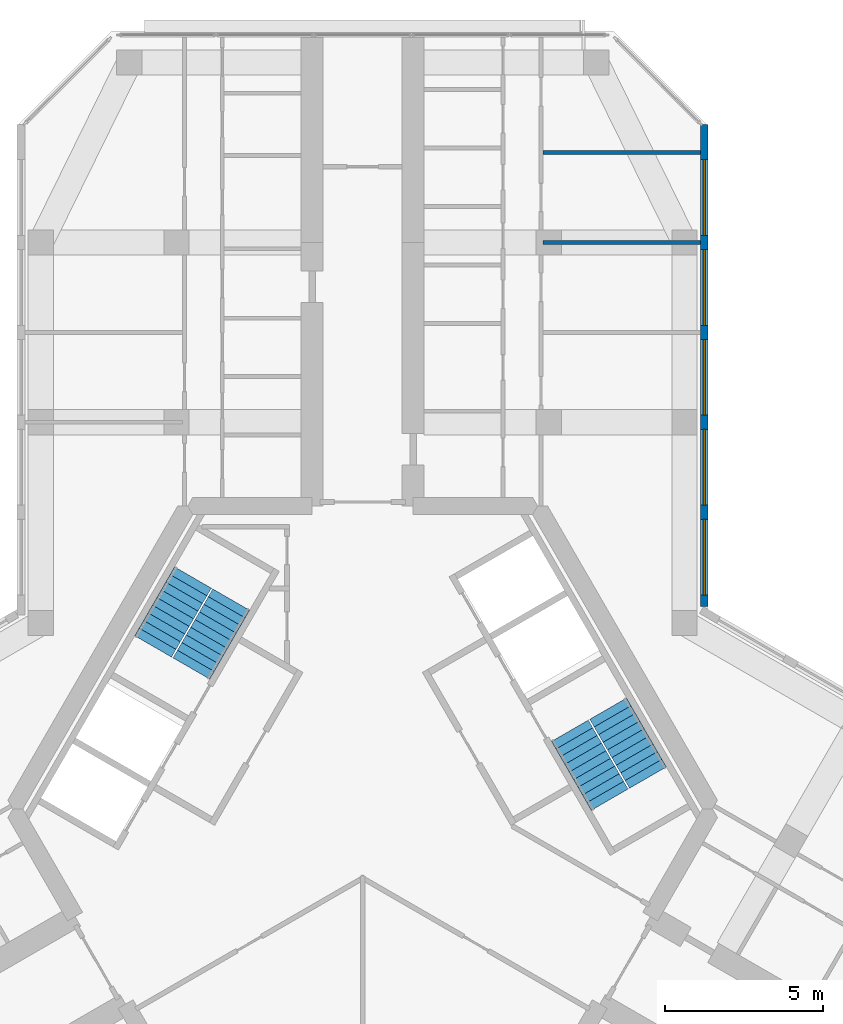
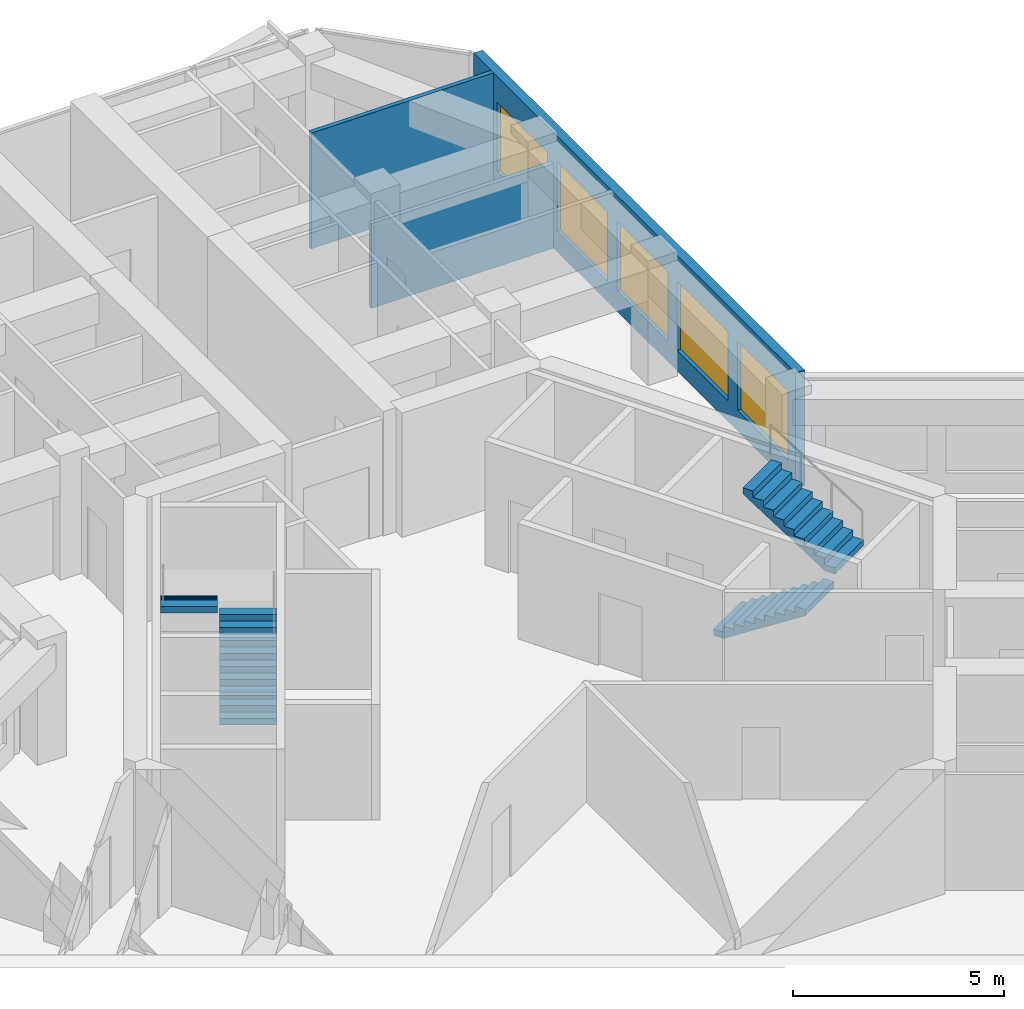
# One storey, part 13 of 14: 5 windows, 4 stair flights, 3 walls, 5 openings, 2 elements without a shape of their own.
"""IFC4 building model written with IfcOpenShell, lengths in metres."""

from ifc_helpers import new_model, si_unit, direction, frame, frame_2d, origin, place, context, subcontext, project, spatial, polyline, rectangle, outline, extrude, material, layer, layer_set, type_object, element, fill, aggregate, save


model = new_model("IFC4")

# Units and contexts
model_context = context("Model", 3, precision=1e-05, world=origin(), true_north=direction((0.0, 1.0)))
body_context = subcontext(model_context, "Body", "Model", "MODEL_VIEW")
ifc_project = project(units=[si_unit("LENGTHUNIT", "METRE"), si_unit("AREAUNIT", "SQUARE_METRE"), si_unit("VOLUMEUNIT", "CUBIC_METRE"), si_unit("PLANEANGLEUNIT", "RADIAN"), si_unit("MASSUNIT", "GRAM", prefix="KILO")], contexts=[model_context])

# Site, building, storey
site_placement = place(None, origin())
site = spatial("IfcSite", under=ifc_project, at=site_placement, CompositionType="ELEMENT")
building_placement = place(site_placement, origin())
building = spatial("IfcBuilding", under=site, at=building_placement, Name="Kosmar Iwan School Tower", CompositionType="ELEMENT")
storey_placement = place(building_placement, frame((0.0, 0.0, 274.60009765625)))
storey = spatial("IfcBuildingStorey", under=building, at=storey_placement, Name="L69", CompositionType="ELEMENT", Elevation=274.60009765625)

# Walls
ifc_material_1 = material(Name="Gypsum board on steel studs", Category="steel")
ifc_layer_1 = layer(ifc_material_1, 0.1201171875)
ifc_layer_set_1 = layer_set([ifc_layer_1], Name="Dwelling partition 120")
wall_type_1 = type_object("IfcWallType", Name="Dwelling partition 120", PredefinedType="PARTITIONING", material=ifc_layer_set_1)
wall_1_placement = place(storey_placement, frame((5.7099609375, 17.949951171875, 0.0), z_axis=(0.0, 0.0, 1.0), x_axis=(1.0, 0.0, 0.0)))
element("IfcWall", 1, at=wall_1_placement, inside=storey, type_object=wall_type_1, Name="Partition L69-AR1-X2", PredefinedType="PARTITIONING", context=body_context, shape_type="SweptSolid", body=[
    extrude(rectangle(XDim=4.989990234375, YDim=0.1201171875, at=frame_2d((2.4951171875, 0.0))), origin(), (0.0, 0.0, 1.0), 2.449951171875),
])
wall_2_placement = place(storey_placement, frame((5.7099609375, 20.800048828125, 0.0), z_axis=(0.0, 0.0, 1.0), x_axis=(1.0, 0.0, 0.0)))
element("IfcWall", 2, at=wall_2_placement, inside=storey, type_object=wall_type_1, Name="Partition L69-AR1-X3", PredefinedType="PARTITIONING", context=body_context, shape_type="SweptSolid", body=[
    extrude(rectangle(XDim=4.989990234375, YDim=0.1201171875, at=frame_2d((2.4951171875, 0.0))), origin(), (0.0, 0.0, 1.0), 3.349853515625),
])

# Wall, openings, windows
ifc_material_2 = material(Name="Black aluminium rainscreen on insulated framing", Category="aluminium")
ifc_layer_2 = layer(ifc_material_2, 0.25)
ifc_layer_set_2 = layer_set([ifc_layer_2], Name="External wall rainscreen 250")
wall_type_2 = type_object("IfcWallType", Name="External wall rainscreen 250", PredefinedType="SOLIDWALL", material=ifc_layer_set_2)
wall_3_placement = place(storey_placement, frame((10.824951171875, 6.408935546875, 0.0), z_axis=(0.0, 0.0, 1.0), x_axis=(0.0, 1.0, 0.0)))
wall_3 = element("IfcWall", 3, at=wall_3_placement, inside=storey, type_object=wall_type_2, Name="External wall AR L69", PredefinedType="SOLIDWALL", context=body_context, shape_type="SweptSolid", body=[
    extrude(rectangle(XDim=15.2763671875, YDim=0.25, at=frame_2d((7.63818359375, 0.0))), origin(), (0.0, 0.0, 1.0), 3.349853515625),
])
opening_1_placement = place(wall_3_placement, frame((0.365966796875, 0.0, 0.60009765625)))
opening_1 = element("IfcOpeningElement", 4, at=opening_1_placement, cuts=wall_3, Name="Opening W6", PredefinedType="OPENING", context=body_context, shape_type="SweptSolid", body=[
    extrude(rectangle(XDim=2.39990234375, YDim=2.0, at=frame_2d((1.199951171875, 1.0))), frame((0.0, 0.136962890625, 0.0), z_axis=(0.0, -1.0, 0.0), x_axis=(1.0, 0.0, 0.0)), (0.0, 0.0, 1.0), 0.27392578125),
])
opening_2_placement = place(wall_3_placement, frame((3.216064453125, 0.0, 0.60009765625)))
opening_2 = element("IfcOpeningElement", 5, at=opening_2_placement, cuts=wall_3, Name="Opening W6", PredefinedType="OPENING", context=body_context, shape_type="SweptSolid", body=[
    extrude(rectangle(XDim=2.39990234375, YDim=2.0, at=frame_2d((1.199951171875, 1.0))), frame((0.0, 0.136962890625, 0.0), z_axis=(0.0, -1.0, 0.0), x_axis=(1.0, 0.0, 0.0)), (0.0, 0.0, 1.0), 0.27392578125),
])
opening_3_placement = place(wall_3_placement, frame((6.06591796875, 0.0, 0.60009765625)))
opening_3 = element("IfcOpeningElement", 6, at=opening_3_placement, cuts=wall_3, Name="Opening W6", PredefinedType="OPENING", context=body_context, shape_type="SweptSolid", body=[
    extrude(rectangle(XDim=2.39990234375, YDim=2.0, at=frame_2d((1.199951171875, 1.0))), frame((0.0, 0.136962890625, 0.0), z_axis=(0.0, -1.0, 0.0), x_axis=(1.0, 0.0, 0.0)), (0.0, 0.0, 1.0), 0.27392578125),
])
opening_4_placement = place(wall_3_placement, frame((8.916015625, 0.0, 0.60009765625)))
opening_4 = element("IfcOpeningElement", 7, at=opening_4_placement, cuts=wall_3, Name="Opening W6", PredefinedType="OPENING", context=body_context, shape_type="SweptSolid", body=[
    extrude(rectangle(XDim=2.39990234375, YDim=2.0, at=frame_2d((1.199951171875, 1.0))), frame((0.0, 0.136962890625, 0.0), z_axis=(0.0, -1.0, 0.0), x_axis=(1.0, 0.0, 0.0)), (0.0, 0.0, 1.0), 0.27392578125),
])
opening_5_placement = place(wall_3_placement, frame((11.76611328125, 0.0, 0.60009765625)))
opening_5 = element("IfcOpeningElement", 8, at=opening_5_placement, cuts=wall_3, Name="Opening W6", PredefinedType="OPENING", context=body_context, shape_type="SweptSolid", body=[
    extrude(rectangle(XDim=2.39990234375, YDim=2.0, at=frame_2d((1.199951171875, 1.0))), frame((0.0, 0.136962890625, 0.0), z_axis=(0.0, -1.0, 0.0), x_axis=(1.0, 0.0, 0.0)), (0.0, 0.0, 1.0), 0.27392578125),
])
ifc_material_3 = material(Name="Black aluminium frame with dark triple glazing", Category="aluminium")
window_type = type_object("IfcWindowType", Name="Window 2400x2000", PartitioningType="SINGLE_PANEL", PredefinedType="WINDOW", material=ifc_material_3)
window_1_placement = place(opening_1_placement, origin())
window_1 = element("IfcWindow", 9, at=window_1_placement, inside=storey, type_object=window_type, Name="Window AR L69 -1", OverallHeight=2.0, OverallWidth=2.39990234375, PartitioningType="SINGLE_PANEL", PredefinedType="WINDOW", context=body_context, shape_type="SweptSolid", body=[
    extrude(rectangle(XDim=2.39990234375, YDim=2.0, at=frame_2d((1.199951171875, 1.0))), frame((0.0, 0.030029296875, 0.0), z_axis=(0.0, -1.0, 0.0), x_axis=(1.0, 0.0, 0.0)), (0.0, 0.0, 1.0), 0.06005859375),
])
fill(opening_1, window_1)
window_2_placement = place(opening_2_placement, origin())
window_2 = element("IfcWindow", 10, at=window_2_placement, inside=storey, type_object=window_type, Name="Window AR L69 0", OverallHeight=2.0, OverallWidth=2.39990234375, PartitioningType="SINGLE_PANEL", PredefinedType="WINDOW", context=body_context, shape_type="SweptSolid", body=[
    extrude(rectangle(XDim=2.39990234375, YDim=2.0, at=frame_2d((1.199951171875, 1.0))), frame((0.0, 0.030029296875, 0.0), z_axis=(0.0, -1.0, 0.0), x_axis=(1.0, 0.0, 0.0)), (0.0, 0.0, 1.0), 0.06005859375),
])
fill(opening_2, window_2)
window_3_placement = place(opening_3_placement, origin())
window_3 = element("IfcWindow", 11, at=window_3_placement, inside=storey, type_object=window_type, Name="Window AR L69 1", OverallHeight=2.0, OverallWidth=2.39990234375, PartitioningType="SINGLE_PANEL", PredefinedType="WINDOW", context=body_context, shape_type="SweptSolid", body=[
    extrude(rectangle(XDim=2.39990234375, YDim=2.0, at=frame_2d((1.199951171875, 1.0))), frame((0.0, 0.030029296875, 0.0), z_axis=(0.0, -1.0, 0.0), x_axis=(1.0, 0.0, 0.0)), (0.0, 0.0, 1.0), 0.06005859375),
])
fill(opening_3, window_3)
window_4_placement = place(opening_4_placement, origin())
window_4 = element("IfcWindow", 12, at=window_4_placement, inside=storey, type_object=window_type, Name="Window AR L69 2", OverallHeight=2.0, OverallWidth=2.39990234375, PartitioningType="SINGLE_PANEL", PredefinedType="WINDOW", context=body_context, shape_type="SweptSolid", body=[
    extrude(rectangle(XDim=2.39990234375, YDim=2.0, at=frame_2d((1.199951171875, 1.0))), frame((0.0, 0.030029296875, 0.0), z_axis=(0.0, -1.0, 0.0), x_axis=(1.0, 0.0, 0.0)), (0.0, 0.0, 1.0), 0.06005859375),
])
fill(opening_4, window_4)
window_5_placement = place(opening_5_placement, origin())
window_5 = element("IfcWindow", 13, at=window_5_placement, inside=storey, type_object=window_type, Name="Window AR L69 3", OverallHeight=2.0, OverallWidth=2.39990234375, PartitioningType="SINGLE_PANEL", PredefinedType="WINDOW", context=body_context, shape_type="SweptSolid", body=[
    extrude(rectangle(XDim=2.39990234375, YDim=2.0, at=frame_2d((1.199951171875, 1.0))), frame((0.0, 0.030029296875, 0.0), z_axis=(0.0, -1.0, 0.0), x_axis=(1.0, 0.0, 0.0)), (0.0, 0.0, 1.0), 0.06005859375),
])
fill(opening_5, window_5)

# Stair, stair flights
ifc_material_4 = material(Name="Concrete C35/45", Category="concrete")
stair_type = type_object("IfcStairType", Name="Core stair 2750", PredefinedType="HALF_TURN_STAIR", material=ifc_material_4)
stair_1_placement = place(storey_placement, origin())
stair_1 = element("IfcStair", 14, at=stair_1_placement, inside=storey, type_object=stair_type, Name="Stair ST2 L69", PredefinedType="HALF_TURN_STAIR")
ifc_material_5 = material(Name="Concrete C35/45", Category="concrete")
stair_flight_type = type_object("IfcStairFlightType", Name="Stair flight 1350", PredefinedType="STRAIGHT", material=ifc_material_5)
stair_flight_1_placement = place(storey_placement, frame((-5.42724609375, 4.44970703125, 0.0), z_axis=(0.0, 0.0, 1.0), x_axis=(0.5, 0.866025403784, 0.0)))
stair_flight_1 = element("IfcStairFlight", 15, at=stair_flight_1_placement, type_object=stair_flight_type, Name="ST2 flight 1", NumberOfRisers=10, NumberOfTreads=9, PredefinedType="STRAIGHT", RiserHeight=0.18, TreadLength=0.28, context=body_context, shape_type="SweptSolid", body=[
    extrude(outline(polyline([(0.0, 0.0), (0.0, 0.179931640625), (0.280029296875, 0.179931640625), (0.280029296875, 0.360107421875), (0.56005859375, 0.360107421875), (0.56005859375, 0.5400390625), (0.840087890625, 0.5400390625), (0.840087890625, 0.719970703125), (1.1201171875, 0.719970703125), (1.1201171875, 0.89990234375), (1.39990234375, 0.89990234375), (1.39990234375, 1.080078125), (1.679931640625, 1.080078125), (1.679931640625, 1.260009765625), (1.9599609375, 1.260009765625), (1.9599609375, 1.43994140625), (2.239990234375, 1.43994140625), (2.239990234375, 1.6201171875), (2.52001953125, 1.6201171875), (2.52001953125, 1.800048828125), (2.52001953125, 1.44189453125), (0.277099609375, 0.0), (0.0, 0.0)])), frame((0.0, 0.675048828125, 0.0), z_axis=(0.0, -1.0, 0.0), x_axis=(1.0, 0.0, 0.0)), (0.0, 0.0, 1.0), 1.35009765625),
])
stair_flight_2_placement = place(storey_placement, frame((-5.379638671875, 7.33203125, 1.7998046875), z_axis=(0.0, 0.0, 1.0), x_axis=(-0.5, -0.866025403784, 0.0)))
stair_flight_2 = element("IfcStairFlight", 16, at=stair_flight_2_placement, type_object=stair_flight_type, Name="ST2 flight 2", NumberOfRisers=10, NumberOfTreads=9, PredefinedType="STRAIGHT", RiserHeight=0.18, TreadLength=0.28, context=body_context, shape_type="SweptSolid", body=[
    extrude(outline(polyline([(0.0, 0.0), (0.0, 0.179931640625), (0.280029296875, 0.179931640625), (0.280029296875, 0.360107421875), (0.56005859375, 0.360107421875), (0.56005859375, 0.5400390625), (0.840087890625, 0.5400390625), (0.840087890625, 0.719970703125), (1.1201171875, 0.719970703125), (1.1201171875, 0.89990234375), (1.39990234375, 0.89990234375), (1.39990234375, 1.080078125), (1.679931640625, 1.080078125), (1.679931640625, 1.260009765625), (1.9599609375, 1.260009765625), (1.9599609375, 1.43994140625), (2.239990234375, 1.43994140625), (2.239990234375, 1.6201171875), (2.52001953125, 1.6201171875), (2.52001953125, 1.800048828125), (2.52001953125, 1.44189453125), (0.277099609375, 0.0), (0.0, 0.0)])), frame((0.0, 0.675048828125, 0.0), z_axis=(0.0, -1.0, 0.0), x_axis=(1.0, 0.0, 0.0)), (0.0, 0.0, 1.0), 1.35009765625),
])
aggregate(stair_1, [stair_flight_1, stair_flight_2])

stair_2_placement = place(storey_placement, origin())
stair_2 = element("IfcStair", 17, at=stair_2_placement, inside=storey, type_object=stair_type, Name="Stair ST1 L69", PredefinedType="HALF_TURN_STAIR")
stair_flight_3_placement = place(storey_placement, frame((6.567138671875, 2.475341796875, 0.0), z_axis=(0.0, 0.0, 1.0), x_axis=(0.5, -0.866025403784, 0.0)))
stair_flight_3 = element("IfcStairFlight", 18, at=stair_flight_3_placement, type_object=stair_flight_type, Name="ST1 flight 1", NumberOfRisers=10, NumberOfTreads=9, PredefinedType="STRAIGHT", RiserHeight=0.18, TreadLength=0.28, context=body_context, shape_type="SweptSolid", body=[
    extrude(outline(polyline([(0.0, 0.0), (0.0, 0.179931640625), (0.280029296875, 0.179931640625), (0.280029296875, 0.360107421875), (0.56005859375, 0.360107421875), (0.56005859375, 0.5400390625), (0.840087890625, 0.5400390625), (0.840087890625, 0.719970703125), (1.1201171875, 0.719970703125), (1.1201171875, 0.89990234375), (1.39990234375, 0.89990234375), (1.39990234375, 1.080078125), (1.679931640625, 1.080078125), (1.679931640625, 1.260009765625), (1.9599609375, 1.260009765625), (1.9599609375, 1.43994140625), (2.239990234375, 1.43994140625), (2.239990234375, 1.6201171875), (2.52001953125, 1.6201171875), (2.52001953125, 1.800048828125), (2.52001953125, 1.44189453125), (0.277099609375, 0.0), (0.0, 0.0)])), frame((0.0, 0.675048828125, 0.0), z_axis=(0.0, -1.0, 0.0), x_axis=(1.0, 0.0, 0.0)), (0.0, 0.0, 1.0), 1.35009765625),
])
stair_flight_4_placement = place(storey_placement, frame((9.03955078125, 0.992919921875, 1.7998046875), z_axis=(0.0, 0.0, 1.0), x_axis=(-0.5, 0.866025403784, 0.0)))
stair_flight_4 = element("IfcStairFlight", 19, at=stair_flight_4_placement, type_object=stair_flight_type, Name="ST1 flight 2", NumberOfRisers=10, NumberOfTreads=9, PredefinedType="STRAIGHT", RiserHeight=0.18, TreadLength=0.28, context=body_context, shape_type="SweptSolid", body=[
    extrude(outline(polyline([(0.0, 0.0), (0.0, 0.179931640625), (0.280029296875, 0.179931640625), (0.280029296875, 0.360107421875), (0.56005859375, 0.360107421875), (0.56005859375, 0.5400390625), (0.840087890625, 0.5400390625), (0.840087890625, 0.719970703125), (1.1201171875, 0.719970703125), (1.1201171875, 0.89990234375), (1.39990234375, 0.89990234375), (1.39990234375, 1.080078125), (1.679931640625, 1.080078125), (1.679931640625, 1.260009765625), (1.9599609375, 1.260009765625), (1.9599609375, 1.43994140625), (2.239990234375, 1.43994140625), (2.239990234375, 1.6201171875), (2.52001953125, 1.6201171875), (2.52001953125, 1.800048828125), (2.52001953125, 1.44189453125), (0.277099609375, 0.0), (0.0, 0.0)])), frame((0.0, 0.675048828125, 0.0), z_axis=(0.0, -1.0, 0.0), x_axis=(1.0, 0.0, 0.0)), (0.0, 0.0, 1.0), 1.35009765625),
])
aggregate(stair_2, [stair_flight_3, stair_flight_4])

save(model, "model.ifc")
